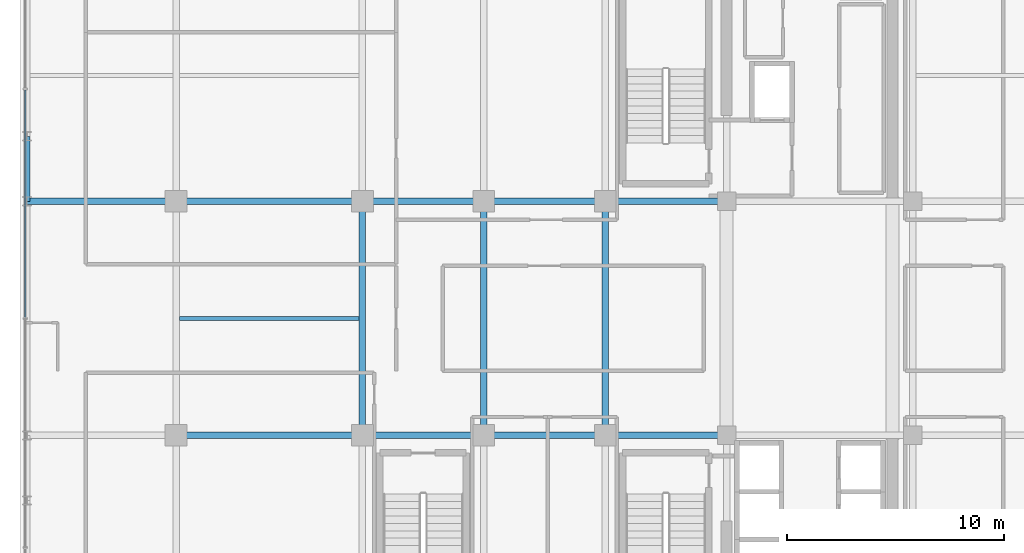
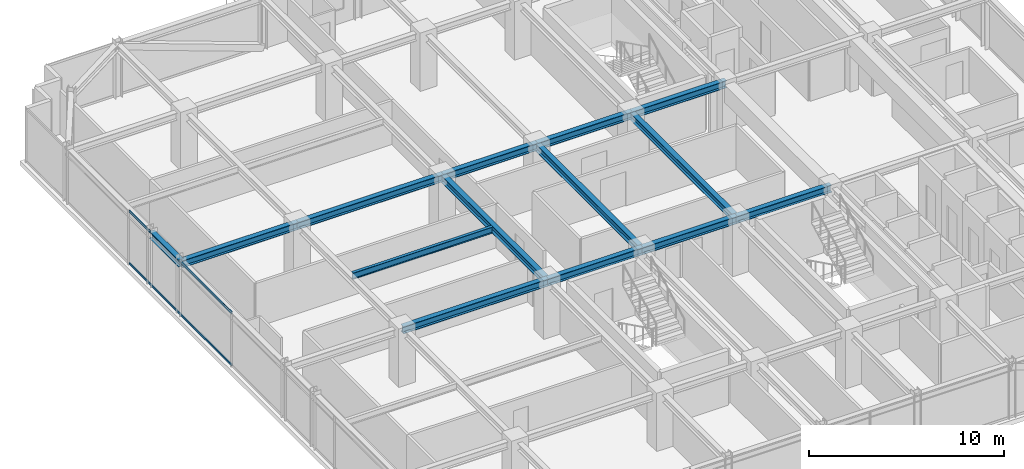
# One storey, part 11 of 42: 14 beams, 2 members, 1 element without a shape of its own.
"""IFC4 building model written with IfcOpenShell, lengths in metres."""

import ifcopenshell
import ifcopenshell.guid

model = None  # the IFC model being written
_history = None  # IfcOwnerHistory: only IFC2X3 demands one
_inside = {}  # id of a spatial element -> (the spatial element, [elements in it])
_under = {}  # id of a project, library or spatial element -> (it, [spatial elements below it])
_declared = {}  # id of a project -> (the project, [libraries it declares])
_typed = {}  # id of a type object -> (the type object, [elements of that type])
_made_of = {}  # id of a material, layer set ... -> (it, [elements and type objects made of it])


def new_model(schema):
    """Start an empty IFC model of exactly this schema.

    Asked for "IFC4X3", IfcOpenShell would pick the latest addendum, in which some entities
    have other attributes; the version numbers below select the first issue.
    IFC2X3 requires an IfcOwnerHistory on every rooted entity: one is made here for all.
    """
    global model, _history
    if schema == "IFC4X3":
        model = ifcopenshell.file(schema_version=(4, 3, 0, 0))
    else:
        model = ifcopenshell.file(schema=schema)
    _inside.clear()
    _under.clear()
    _declared.clear()
    _typed.clear()
    _made_of.clear()
    _history = None
    if model.schema == "IFC2X3":
        org = make("IfcOrganization", Name="unknown")
        user = make(
            "IfcPersonAndOrganization",
            ThePerson=make("IfcPerson", FamilyName="unknown"),
            TheOrganization=org,
        )
        app = make(
            "IfcApplication",
            ApplicationDeveloper=org,
            Version="unknown",
            ApplicationFullName="unknown",
            ApplicationIdentifier="unknown",
        )
        _history = make(
            "IfcOwnerHistory",
            OwningUser=user,
            OwningApplication=app,
            ChangeAction="ADDED",
            CreationDate=0,
        )
    return model


def make(cls, **values):
    """One entity of the class cls with the attributes given. An attribute that is None is left unset."""
    return model.create_entity(
        cls, **{name: value for name, value in values.items() if value is not None}
    )


def rooted(cls, **values):
    """An entity with a GlobalId (a new one), such as an element, a storey or a relation."""
    return make(cls, GlobalId=ifcopenshell.guid.new(), OwnerHistory=_history, **values)


def si_unit(unit_type, name, prefix=None):
    """IfcSIUnit, for example si_unit("LENGTHUNIT", "METRE", prefix="MILLI")."""
    return make("IfcSIUnit", UnitType=unit_type, Prefix=prefix, Name=name)


def assignment(units):
    """IfcUnitAssignment: the units of a project."""
    return None if units is None else make("IfcUnitAssignment", Units=units)


def point(xyz):
    """IfcCartesianPoint."""
    return None if xyz is None else make("IfcCartesianPoint", Coordinates=xyz)


def direction(xyz):
    """IfcDirection."""
    return None if xyz is None else make("IfcDirection", DirectionRatios=xyz)


def frame(location, z_axis=None, x_axis=None):
    """IfcAxis2Placement3D, a coordinate frame: its origin and axes. An axis left out is left unset."""
    return make(
        "IfcAxis2Placement3D",
        Location=point(location),
        Axis=direction(z_axis),
        RefDirection=direction(x_axis),
    )


def frame_2d(location, x_axis=None):
    """IfcAxis2Placement2D, a coordinate frame in the plane: its origin and x axis."""
    return make(
        "IfcAxis2Placement2D", Location=point(location), RefDirection=direction(x_axis)
    )


def origin():
    """The frame at (0, 0, 0) with its axes left unset."""
    return frame((0.0, 0.0, 0.0))


def origin_2d():
    """The frame at (0, 0) in the plane with its x axis left unset."""
    return frame_2d((0.0, 0.0))


def place(relative_to, where):
    """IfcLocalPlacement: puts the frame where relative to a parent placement (None: the world)."""
    return make(
        "IfcLocalPlacement", PlacementRelTo=relative_to, RelativePlacement=where
    )


def context(
    kind, dimensions, precision=None, world=None, true_north=None, identifier=None
):
    """IfcGeometricRepresentationContext, for example the 3D "Model" context."""
    return make(
        "IfcGeometricRepresentationContext",
        ContextIdentifier=identifier,
        ContextType=kind,
        CoordinateSpaceDimension=dimensions,
        Precision=precision,
        WorldCoordinateSystem=world,
        TrueNorth=true_north,
    )


def subcontext(parent, identifier, kind, view, scale=None):
    """IfcGeometricRepresentationSubContext, for example "Body" below "Model"."""
    return make(
        "IfcGeometricRepresentationSubContext",
        ContextIdentifier=identifier,
        ContextType=kind,
        ParentContext=parent,
        TargetScale=scale,
        TargetView=view,
    )


def project(units=None, contexts=None):
    """IfcProject with its units and contexts."""
    return rooted(
        "IfcProject",
        Name="project",
        RepresentationContexts=contexts,
        UnitsInContext=assignment(units),
    )


def spatial(cls, under=None, at=None, **own):
    """A site, building, storey or space (cls), placed at a placement, below another one or the project."""
    s = rooted(cls, ObjectPlacement=at, **own)
    if under is not None:
        _under.setdefault(under.id(), (under, []))[1].append(s)
    return s


def profile(cls, at=None, kind="AREA", **sizes):
    """A parametric profile (cls). Its sizes go by their IFC names, for example OverallWidth=200.0."""
    return make(cls, ProfileType=kind, Position=at, **sizes)


def hollow_rectangle(**sizes):
    """IfcRectangleHollowProfileDef."""
    return profile("IfcRectangleHollowProfileDef", **sizes)


def i_section(**sizes):
    """IfcIShapeProfileDef."""
    return profile("IfcIShapeProfileDef", **sizes)


def extrude(swept, where, along, depth):
    """IfcExtrudedAreaSolid: the profile swept, set in the frame where, extruded along a direction by depth."""
    return make(
        "IfcExtrudedAreaSolid",
        SweptArea=swept,
        Position=where,
        ExtrudedDirection=direction(along),
        Depth=depth,
    )


def shape(context_of_items, identifier, shape_type, items):
    """IfcShapeRepresentation: the items that make up one representation, for example the "Body"."""
    return make(
        "IfcShapeRepresentation",
        ContextOfItems=context_of_items,
        RepresentationIdentifier=identifier,
        RepresentationType=shape_type,
        Items=items,
    )


def source(mapping_origin, context_of_items, identifier, shape_type, items):
    """IfcRepresentationMap: a shape defined once, which mapped items show again and again."""
    return make(
        "IfcRepresentationMap",
        MappingOrigin=mapping_origin,
        MappedRepresentation=shape(context_of_items, identifier, shape_type, items),
    )


def transform(
    local_origin,
    x_axis=None,
    y_axis=None,
    z_axis=None,
    scale=None,
    scale2=None,
    scale3=None,
    uniform=True,
):
    """IfcCartesianTransformationOperator3D, or its non-uniform kind. x_axis, y_axis, z_axis: its Axis1, 2, 3."""
    if uniform:
        return make(
            "IfcCartesianTransformationOperator3D",
            Axis1=direction(x_axis),
            Axis2=direction(y_axis),
            LocalOrigin=point(local_origin),
            Scale=scale,
            Axis3=direction(z_axis),
        )
    return make(
        "IfcCartesianTransformationOperator3DnonUniform",
        Axis1=direction(x_axis),
        Axis2=direction(y_axis),
        LocalOrigin=point(local_origin),
        Scale=scale,
        Axis3=direction(z_axis),
        Scale2=scale2,
        Scale3=scale3,
    )


def mapped(mapping_source, mapping_target):
    """IfcMappedItem: shows the shape of a source again, moved by a transform."""
    return make(
        "IfcMappedItem", MappingSource=mapping_source, MappingTarget=mapping_target
    )


def material(Name=None, Category=None):
    """IfcMaterial."""
    return make("IfcMaterial", Name=Name, Category=Category)


def material_profile(
    of_material, cross_section, Name=None, Category=None, Priority=None
):
    """IfcMaterialProfile: a cross section and its material."""
    return make(
        "IfcMaterialProfile",
        Name=Name,
        Material=of_material,
        Profile=cross_section,
        Priority=Priority,
        Category=Category,
    )


def profile_set(profiles, Name=None, composite=None):
    """IfcMaterialProfileSet."""
    return make(
        "IfcMaterialProfileSet",
        Name=Name,
        MaterialProfiles=profiles,
        CompositeProfile=composite,
    )


def made_of(thing, what):
    """Note that an element or type object is made of a material, layer set ...; save() writes the relation."""
    if what is not None:
        _made_of.setdefault(what.id(), (what, []))[1].append(thing)
    return thing


def type_object(cls, material=None, **own):
    """A type object (cls), such as IfcWallType, which elements share."""
    return made_of(rooted(cls, **own), material)


def element(
    cls,
    number,
    at=None,
    inside=None,
    cuts=None,
    type_object=None,
    material=None,
    context=None,
    identifier="Body",
    shape_type=None,
    held_by="IfcProductDefinitionShape",
    body=None,
    shapes=None,
    **own,
):
    """One element of the class cls, such as IfcWall. Its Tag is "e" and its number.

    at: its placement. inside: the storey or other place that contains it. cuts: it is an
    opening in that element (IfcRelVoidsElement). A single representation is given by context,
    identifier, shape_type and body (its items); several are given by shapes. held_by: the class
    of the entity that holds the representations. save() writes the other relations.
    """
    e = rooted(cls, Tag="e%d" % number, ObjectPlacement=at, **own)
    if body is not None:
        shapes = [shape(context, identifier, shape_type, body)]
    if shapes is not None:
        e.Representation = make(held_by, Representations=shapes)
    if inside is not None:
        _inside.setdefault(inside.id(), (inside, []))[1].append(e)
    if cuts is not None:
        rooted(
            "IfcRelVoidsElement", RelatingBuildingElement=cuts, RelatedOpeningElement=e
        )
    if type_object is not None:
        _typed.setdefault(type_object.id(), (type_object, []))[1].append(e)
    return made_of(e, material)


def aggregate(whole, parts):
    """IfcRelAggregates: a whole, such as a stair, and the parts it consists of."""
    return rooted("IfcRelAggregates", RelatingObject=whole, RelatedObjects=parts)


def save(model, path):
    """Write the relations noted so far, then the file.

    IfcRelAggregates (storeys below a building ...), IfcRelContainedInSpatialStructure (elements
    in a storey), IfcRelDefinesByType, IfcRelAssociatesMaterial and IfcRelDeclares: one each for
    every whole, place, type object, material and project.
    """
    for whole, parts in _under.values():
        aggregate(whole, parts)
    for where, things in _inside.values():
        rooted(
            "IfcRelContainedInSpatialStructure",
            RelatedElements=things,
            RelatingStructure=where,
        )
    for kind, things in _typed.values():
        rooted("IfcRelDefinesByType", RelatedObjects=things, RelatingType=kind)
    for what, things in _made_of.values():
        rooted("IfcRelAssociatesMaterial", RelatedObjects=things, RelatingMaterial=what)
    for by, libraries in _declared.values():
        rooted("IfcRelDeclares", RelatingContext=by, RelatedDefinitions=libraries)
    model.write(path)


model = new_model("IFC4")

# Units and contexts
model_context = context("Model", 3, precision=1e-05, world=origin(), true_north=direction((0.0, 1.0)))
body_context = subcontext(model_context, "Body", "Model", "MODEL_VIEW")
ifc_project = project(units=[si_unit("LENGTHUNIT", "METRE"), si_unit("AREAUNIT", "SQUARE_METRE"), si_unit("VOLUMEUNIT", "CUBIC_METRE"), si_unit("PLANEANGLEUNIT", "RADIAN"), si_unit("MASSUNIT", "GRAM", prefix="KILO")], contexts=[model_context])

# Site, building, storey
site_placement = place(None, origin())
site = spatial("IfcSite", under=ifc_project, at=site_placement, CompositionType="ELEMENT")
building_placement = place(site_placement, origin())
building = spatial("IfcBuilding", under=site, at=building_placement, Name="Nahalor Promenade Grand Hotel", CompositionType="ELEMENT")
storey_placement = place(building_placement, frame((0.0, 0.0, 249.300048828125)))
storey = spatial("IfcBuildingStorey", under=building, at=storey_placement, Name="L64", CompositionType="ELEMENT", Elevation=249.300048828125)

# Beams
ifc_material_1 = material(Name="Steel S355JR", Category="steel")
ifc_material_profile_1 = material_profile(ifc_material_1, i_section(OverallWidth=0.3, OverallDepth=0.45, WebThickness=0.014, FlangeThickness=0.026, at=origin_2d()), Name="HEB 450")
ifc_profile_set_1 = profile_set([ifc_material_profile_1], Name="Steel S355JR")
beam_type_1 = type_object("IfcBeamType", Name="Beam-Spandrel-HEB450", PredefinedType="SPANDREL", material=ifc_profile_set_1)
shared_shape_1 = source(origin(), body_context, "Body", "SweptSolid", [
    extrude(i_section(OverallWidth=0.3, OverallDepth=0.45, WebThickness=0.014, FlangeThickness=0.026, at=origin_2d()), origin(), (0.0, 0.0, 1.0), 3.0),
])
beam_1_placement = place(storey_placement, frame((-23.8798828125, 5.39990234375, 3.18505859375), z_axis=(0.0, 1.0, 0.0), x_axis=(-1.0, 0.0, 0.0)))
element("IfcBeam", 1, at=beam_1_placement, inside=storey, type_object=beam_type_1, Name="BM-L64-SP-W-3", PredefinedType="SPANDREL", context=body_context, shape_type="MappedRepresentation", body=[
    mapped(shared_shape_1, transform((0.0, 0.0, 0.0), scale=1.0)),
])
ifc_material_profile_2 = material_profile(ifc_material_1, i_section(OverallWidth=0.3, OverallDepth=0.45, WebThickness=0.014, FlangeThickness=0.026, at=origin_2d()), Name="HEB 450")
ifc_profile_set_2 = profile_set([ifc_material_profile_2], Name="Steel S355JR")
beam_type_2 = type_object("IfcBeamType", Name="Beam-Girder-HEB450", PredefinedType="BEAM", material=ifc_profile_set_2)
shared_shape_2 = source(origin(), body_context, "Body", "SweptSolid", [
    extrude(i_section(OverallWidth=0.3, OverallDepth=0.45, WebThickness=0.014, FlangeThickness=0.026, at=origin_2d()), origin(), (0.0, 0.0, 1.0), 6.8798828125),
])
beam_2_placement = place(storey_placement, frame((-23.8798828125, 5.39990234375, 3.18505859375), z_axis=(1.0, 0.0, 0.0), x_axis=(0.0, 1.0, 0.0)))
element("IfcBeam", 2, at=beam_2_placement, inside=storey, type_object=beam_type_2, Name="BM-L64-GX-2-0", PredefinedType="BEAM", context=body_context, shape_type="MappedRepresentation", body=[
    mapped(shared_shape_2, transform((0.0, 0.0, 0.0), scale=1.0)),
])
shared_shape_3 = source(origin(), body_context, "Body", "SweptSolid", [
    extrude(i_section(OverallWidth=0.3, OverallDepth=0.45, WebThickness=0.014, FlangeThickness=0.026, at=origin_2d()), origin(), (0.0, 0.0, 1.0), 8.60009765625),
])
for number, where, z_axis, x_axis, name in (
    (3, (-17.0, -5.39990234375, 3.18505859375), (1.0, 0.0, 0.0), (0.0, 1.0, 0.0), "BM-L64-GX-1-1"),
    (4, (-17.0, 5.39990234375, 3.18505859375), (1.0, 0.0, 0.0), (0.0, 1.0, 0.0), "BM-L64-GX-2-1"),
):
    element("IfcBeam", number, at=place(storey_placement, frame(where, z_axis=z_axis, x_axis=x_axis)), inside=storey, type_object=beam_type_2, Name=name, PredefinedType="BEAM", context=body_context, shape_type="MappedRepresentation", body=[
        mapped(shared_shape_3, transform((0.0, 0.0, 0.0), scale=1.0)),
    ])
shared_shape_4 = source(origin(), body_context, "Body", "SweptSolid", [
    extrude(i_section(OverallWidth=0.3, OverallDepth=0.45, WebThickness=0.014, FlangeThickness=0.026, at=origin_2d()), origin(), (0.0, 0.0, 1.0), 5.599853515625),
])
for number, where, z_axis, x_axis, name in (
    (5, (-8.39990234375, -5.39990234375, 3.18505859375), (1.0, 0.0, 0.0), (0.0, 1.0, 0.0), "BM-L64-GX-1-2"),
    (6, (2.800048828125, -5.39990234375, 3.18505859375), (1.0, 0.0, 0.0), (0.0, 1.0, 0.0), "BM-L64-GX-1-4"),
    (7, (-8.39990234375, 5.39990234375, 3.18505859375), (1.0, 0.0, 0.0), (0.0, 1.0, 0.0), "BM-L64-GX-2-2"),
    (8, (2.800048828125, 5.39990234375, 3.18505859375), (1.0, 0.0, 0.0), (0.0, 1.0, 0.0), "BM-L64-GX-2-4"),
):
    element("IfcBeam", number, at=place(storey_placement, frame(where, z_axis=z_axis, x_axis=x_axis)), inside=storey, type_object=beam_type_2, Name=name, PredefinedType="BEAM", context=body_context, shape_type="MappedRepresentation", body=[
        mapped(shared_shape_4, transform((0.0, 0.0, 0.0), scale=1.0)),
    ])
shared_shape_5 = source(origin(), body_context, "Body", "SweptSolid", [
    extrude(i_section(OverallWidth=0.3, OverallDepth=0.45, WebThickness=0.014, FlangeThickness=0.026, at=origin_2d()), origin(), (0.0, 0.0, 1.0), 5.60009765625),
])
for number, where, z_axis, x_axis, name in (
    (9, (-2.800048828125, -5.39990234375, 3.18505859375), (1.0, 0.0, 0.0), (0.0, 1.0, 0.0), "BM-L64-GX-1-3"),
    (10, (-2.800048828125, 5.39990234375, 3.18505859375), (1.0, 0.0, 0.0), (0.0, 1.0, 0.0), "BM-L64-GX-2-3"),
):
    element("IfcBeam", number, at=place(storey_placement, frame(where, z_axis=z_axis, x_axis=x_axis)), inside=storey, type_object=beam_type_2, Name=name, PredefinedType="BEAM", context=body_context, shape_type="MappedRepresentation", body=[
        mapped(shared_shape_5, transform((0.0, 0.0, 0.0), scale=1.0)),
    ])
shared_shape_6 = source(origin(), body_context, "Body", "SweptSolid", [
    extrude(i_section(OverallWidth=0.3, OverallDepth=0.45, WebThickness=0.014, FlangeThickness=0.026, at=origin_2d()), origin(), (0.0, 0.0, 1.0), 10.7998046875),
])
for number, where, z_axis, x_axis, name in (
    (11, (-8.39990234375, -5.39990234375, 3.18505859375), (0.0, 1.0, 0.0), (-1.0, 0.0, 0.0), "BM-L64-GY-1-2"),
    (12, (-2.800048828125, -5.39990234375, 3.18505859375), (0.0, 1.0, 0.0), (-1.0, 0.0, 0.0), "BM-L64-GY-2-2"),
    (13, (2.800048828125, -5.39990234375, 3.18505859375), (0.0, 1.0, 0.0), (-1.0, 0.0, 0.0), "BM-L64-GY-3-2"),
):
    element("IfcBeam", number, at=place(storey_placement, frame(where, z_axis=z_axis, x_axis=x_axis)), inside=storey, type_object=beam_type_2, Name=name, PredefinedType="BEAM", context=body_context, shape_type="MappedRepresentation", body=[
        mapped(shared_shape_6, transform((0.0, 0.0, 0.0), scale=1.0)),
    ])
ifc_material_profile_3 = material_profile(ifc_material_1, i_section(OverallWidth=0.18, OverallDepth=0.4, WebThickness=0.0086, FlangeThickness=0.0135, at=origin_2d()), Name="IPE 400")
ifc_profile_set_3 = profile_set([ifc_material_profile_3], Name="Steel S355JR")
beam_type_3 = type_object("IfcBeamType", Name="Beam-Joist-IPE400", PredefinedType="JOIST", material=ifc_profile_set_3)
shared_shape_7 = source(origin(), body_context, "Body", "SweptSolid", [
    extrude(i_section(OverallWidth=0.18, OverallDepth=0.4, WebThickness=0.0086, FlangeThickness=0.0135, at=origin_2d()), origin(), (0.0, 0.0, 1.0), 8.300048828125),
])
beam_3_placement = place(storey_placement, frame((-16.85009765625, 0.0, 3.2099609375), z_axis=(1.0, 0.0, 0.0), x_axis=(0.0, 1.0, 0.0)))
element("IfcBeam", 14, at=beam_3_placement, inside=storey, type_object=beam_type_3, Name="BM-L64-JSC-0", PredefinedType="JOIST", context=body_context, shape_type="MappedRepresentation", body=[
    mapped(shared_shape_7, transform((0.0, 0.0, 0.0), scale=1.0)),
])

# Curtain wall, members
ifc_material_2 = material(Name="Anodised Bronze Aluminium EN AW-6063 T6", Category="aluminium")
curtain_wall_type = type_object("IfcCurtainWallType", Name="CW2 Typical Hotel Flush Bronze Unitised Curtain Wall", PredefinedType="USERDEFINED", material=ifc_material_2)
curtain_wall_placement = place(storey_placement, origin())
curtain_wall = element("IfcCurtainWall", 15, at=curtain_wall_placement, inside=storey, type_object=curtain_wall_type, Name="L64 Curtain Wall CW-L64-W-1", ObjectType="UNITISED_CURTAIN_WALL", PredefinedType="USERDEFINED")
ifc_material_profile_4 = material_profile(ifc_material_2, hollow_rectangle(XDim=0.065, YDim=0.13, WallThickness=0.004, at=origin_2d()), Name="CWT 65x130x4")
ifc_profile_set_4 = profile_set([ifc_material_profile_4], Name="Anodised Bronze Aluminium EN AW-6063 T6")
member_type = type_object("IfcMemberType", Name="CWT2 Typical Bronze Transom 65x130", PredefinedType="USERDEFINED", material=ifc_profile_set_4)
shared_shape_8 = source(origin(), body_context, "Body", "SweptSolid", [
    extrude(hollow_rectangle(XDim=0.065, YDim=0.13, WallThickness=0.004, at=origin_2d()), origin(), (0.0, 0.0, 1.0), 10.51513671875),
])
member_1_placement = place(storey_placement, frame((-23.9599609375, 0.032470703125, 0.06494140625), z_axis=(0.0, 1.0, 0.0), x_axis=(-1.0, 0.0, 0.0)))
member_1 = element("IfcMember", 16, at=member_1_placement, type_object=member_type, Name="CW-L64-W-1 Transom 2-0", ObjectType="TRANSOM", PredefinedType="USERDEFINED", context=body_context, shape_type="MappedRepresentation", body=[
    mapped(shared_shape_8, transform((0.0, 0.0, 0.0), scale=1.0)),
])
member_2_placement = place(storey_placement, frame((-23.9599609375, 0.032470703125, 3.344970703125), z_axis=(0.0, 1.0, 0.0), x_axis=(-1.0, 0.0, 0.0)))
member_2 = element("IfcMember", 17, at=member_2_placement, type_object=member_type, Name="CW-L64-W-1 Transom 2-1", ObjectType="TRANSOM", PredefinedType="USERDEFINED", context=body_context, shape_type="MappedRepresentation", body=[
    mapped(shared_shape_8, transform((0.0, 0.0, 0.0), scale=1.0)),
])
aggregate(curtain_wall, [member_1, member_2])

save(model, "model.ifc")
